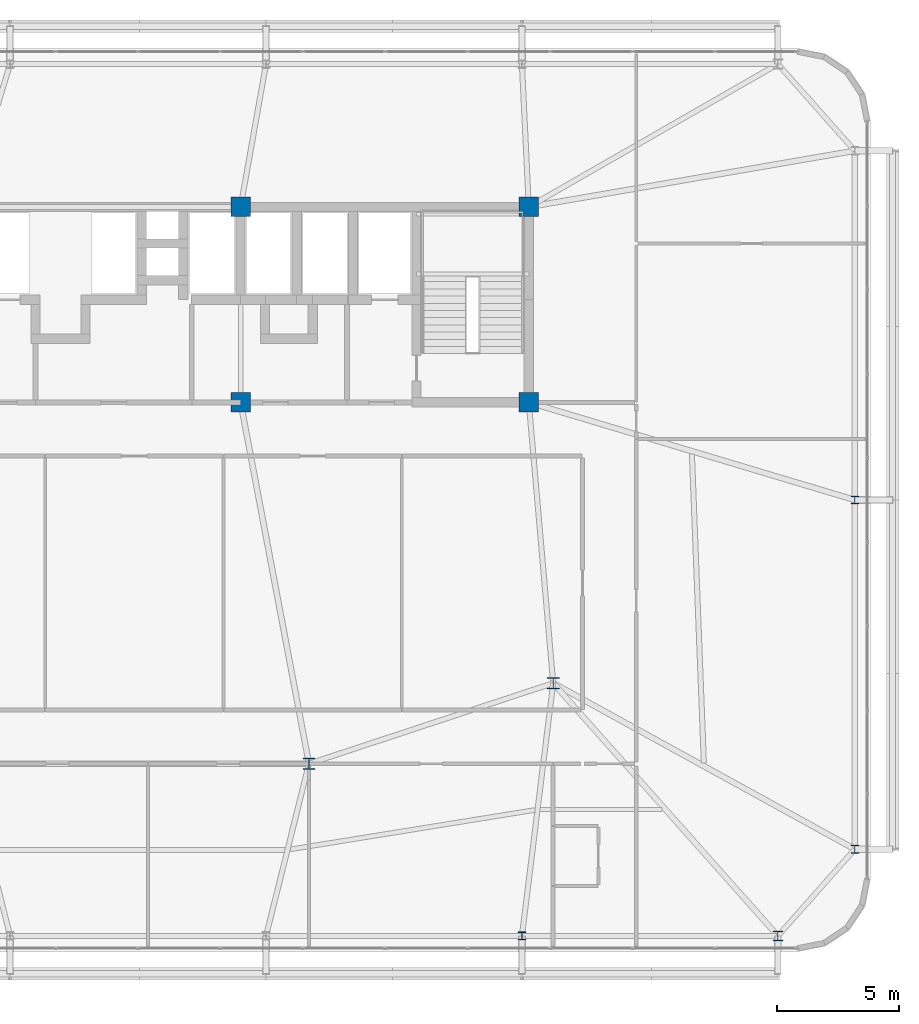
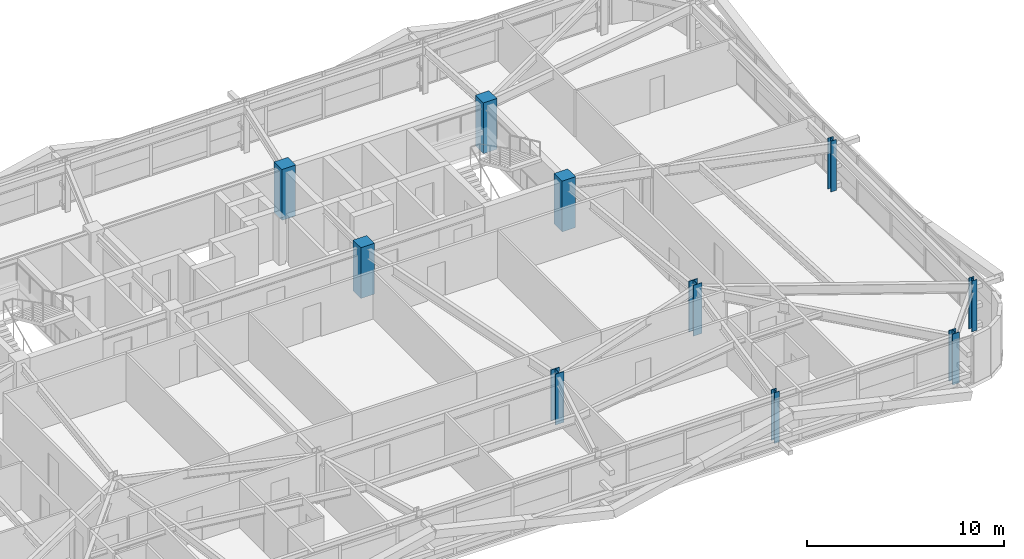
# One storey, part 2 of 58: 10 columns.
"""IFC4 building model written with IfcOpenShell, lengths in metres."""

from ifc_helpers import new_model, si_unit, direction, frame, origin, origin_2d, place, context, subcontext, project, spatial, rectangle, i_section, extrude, source, transform, mapped, material, material_profile, profile_set, type_object, element, save


model = new_model("IFC4")

# Units and contexts
model_context = context("Model", 3, precision=1e-05, world=origin(), true_north=direction((0.0, 1.0)))
body_context = subcontext(model_context, "Body", "Model", "MODEL_VIEW")
ifc_project = project(units=[si_unit("LENGTHUNIT", "METRE"), si_unit("AREAUNIT", "SQUARE_METRE"), si_unit("VOLUMEUNIT", "CUBIC_METRE"), si_unit("PLANEANGLEUNIT", "RADIAN"), si_unit("MASSUNIT", "GRAM", prefix="KILO")], contexts=[model_context])

# Site, building, storey
site_placement = place(None, origin())
site = spatial("IfcSite", under=ifc_project, at=site_placement, CompositionType="ELEMENT")
building_placement = place(site_placement, origin())
building = spatial("IfcBuilding", under=site, at=building_placement, Name="Taldren Reach Tower", CompositionType="ELEMENT")
storey_placement = place(building_placement, frame((0.0, 0.0, 32.550048828125)))
storey = spatial("IfcBuildingStorey", under=building, at=storey_placement, Name="L09", CompositionType="ELEMENT", Elevation=32.550048828125)

# Columns
ifc_material_1 = material(Name="Steel Gr 350 (350PLUS)", Category="steel")
ifc_material_profile_1 = material_profile(ifc_material_1, i_section(OverallWidth=0.5, OverallDepth=0.47998046875, WebThickness=0.028076171875, FlangeThickness=0.0439453125, at=origin_2d()), Name="500WC440")
ifc_profile_set_1 = profile_set([ifc_material_profile_1], Name="Steel Gr 350 (350PLUS)")
column_type_1 = type_object("IfcColumnType", Name="COL-WC500A", PredefinedType="COLUMN", material=ifc_profile_set_1)
shared_shape_1 = source(origin(), body_context, "Body", "SweptSolid", [
    extrude(i_section(OverallWidth=0.5, OverallDepth=0.47998046875, WebThickness=0.028076171875, FlangeThickness=0.0439453125, at=origin_2d()), origin(), (0.0, 0.0, 1.0), 3.14990234375),
])
column_1_placement = place(storey_placement, frame((42.0, 9.199951171875, 0.0), z_axis=(0.0, 0.0, 1.0), x_axis=(1.0, 0.0, 0.0)))
element("IfcColumn", 1, at=column_1_placement, inside=storey, type_object=column_type_1, Name="Mega column MC-PJE L09", PredefinedType="COLUMN", context=body_context, shape_type="MappedRepresentation", body=[
    mapped(shared_shape_1, transform((0.0, 0.0, 0.0), scale=1.0)),
])
ifc_material_profile_2 = material_profile(ifc_material_1, i_section(OverallWidth=0.39990234375, OverallDepth=0.39599609375, WebThickness=0.02197265625, FlangeThickness=0.033935546875, at=origin_2d()), Name="400WC270")
ifc_profile_set_2 = profile_set([ifc_material_profile_2], Name="Steel Gr 350 (350PLUS)")
column_type_2 = type_object("IfcColumnType", Name="COL-WC400", PredefinedType="COLUMN", material=ifc_profile_set_2)
shared_shape_2 = source(origin(), body_context, "Body", "SweptSolid", [
    extrude(i_section(OverallWidth=0.39990234375, OverallDepth=0.39599609375, WebThickness=0.02197265625, FlangeThickness=0.033935546875, at=origin_2d()), origin(), (0.0, 0.0, 1.0), 3.14990234375),
])
column_2_placement = place(storey_placement, frame((61.199951171875, 2.14990234375, 0.0), z_axis=(0.0, 0.0, 1.0), x_axis=(1.0, 0.0, 0.0)))
element("IfcColumn", 2, at=column_2_placement, inside=storey, type_object=column_type_2, Name="Block B1 perimeter column S6 L09", PredefinedType="COLUMN", context=body_context, shape_type="MappedRepresentation", body=[
    mapped(shared_shape_2, transform((0.0, 0.0, 0.0), scale=1.0)),
])
ifc_material_profile_3 = material_profile(ifc_material_1, i_section(OverallWidth=0.31103515625, OverallDepth=0.326904296875, WebThickness=0.015625, FlangeThickness=0.02490234375, at=origin_2d()), Name="310UC158")
ifc_profile_set_3 = profile_set([ifc_material_profile_3], Name="Steel Gr 350 (350PLUS)")
column_type_3 = type_object("IfcColumnType", Name="COL-UC310A", PredefinedType="COLUMN", material=ifc_profile_set_3)
shared_shape_3 = source(origin(), body_context, "Body", "SweptSolid", [
    extrude(i_section(OverallWidth=0.31103515625, OverallDepth=0.326904296875, WebThickness=0.015625, FlangeThickness=0.02490234375, at=origin_2d()), origin(), (0.0, 0.0, 1.0), 3.14990234375),
])
for number, where, z_axis, x_axis, name in (
    (3, (50.719970703125, 2.14990234375, 0.0), (0.0, 0.0, 1.0), (1.0, 0.0, 0.0), "Block B1 perimeter column S5 L09"),
    (4, (64.35009765625, 5.699951171875, 0.0), (0.0, 0.0, 1.0), (1.0, 0.0, 0.0), "Block B1 perimeter column E1 L09"),
    (5, (64.35009765625, 20.0, 0.0), (0.0, 0.0, 1.0), (1.0, 0.0, 0.0), "Block B1 perimeter column E2 L09"),
):
    element("IfcColumn", number, at=place(storey_placement, frame(where, z_axis=z_axis, x_axis=x_axis)), inside=storey, type_object=column_type_3, Name=name, PredefinedType="COLUMN", context=body_context, shape_type="MappedRepresentation", body=[
        mapped(shared_shape_3, transform((0.0, 0.0, 0.0), scale=1.0)),
    ])
ifc_material_2 = material(Name="Concrete S65 (65 MPa)", Category="concrete")
ifc_material_profile_4 = material_profile(ifc_material_2, rectangle(XDim=0.800048828125, YDim=0.800048828125, at=origin_2d()), Name="RC-800x800")
ifc_profile_set_4 = profile_set([ifc_material_profile_4], Name="Concrete S65 (65 MPa)")
column_type_4 = type_object("IfcColumnType", Name="COL-RC800", PredefinedType="COLUMN", material=ifc_profile_set_4)
shared_shape_4 = source(origin(), body_context, "Body", "SweptSolid", [
    extrude(rectangle(XDim=0.800048828125, YDim=0.800048828125, at=origin_2d()), origin(), (0.0, 0.0, 1.0), 3.14990234375),
])
for number, where, z_axis, x_axis, name in (
    (6, (39.199951171875, 24.0, 0.0), (0.0, 0.0, 1.0), (1.0, 0.0, 0.0), "Mega column MC-C3 L09"),
    (7, (51.0, 24.0, 0.0), (0.0, 0.0, 1.0), (1.0, 0.0, 0.0), "Mega column MC-C4 L09"),
    (8, (39.199951171875, 32.0, 0.0), (0.0, 0.0, 1.0), (1.0, 0.0, 0.0), "Mega column MC-C7 L09"),
    (9, (51.0, 32.0, 0.0), (0.0, 0.0, 1.0), (1.0, 0.0, 0.0), "Mega column MC-C8 L09"),
):
    element("IfcColumn", number, at=place(storey_placement, frame(where, z_axis=z_axis, x_axis=x_axis)), inside=storey, type_object=column_type_4, Name=name, PredefinedType="COLUMN", context=body_context, shape_type="MappedRepresentation", body=[
        mapped(shared_shape_4, transform((0.0, 0.0, 0.0), scale=1.0)),
    ])
ifc_material_profile_5 = material_profile(ifc_material_1, i_section(OverallWidth=0.5, OverallDepth=0.464111328125, WebThickness=0.02197265625, FlangeThickness=0.033935546875, at=origin_2d()), Name="500WC340")
ifc_profile_set_5 = profile_set([ifc_material_profile_5], Name="Steel Gr 350 (350PLUS)")
column_type_5 = type_object("IfcColumnType", Name="COL-WC500B", PredefinedType="COLUMN", material=ifc_profile_set_5)
shared_shape_5 = source(origin(), body_context, "Body", "SweptSolid", [
    extrude(i_section(OverallWidth=0.5, OverallDepth=0.464111328125, WebThickness=0.02197265625, FlangeThickness=0.033935546875, at=origin_2d()), origin(), (0.0, 0.0, 1.0), 3.14990234375),
])
column_3_placement = place(storey_placement, frame((52.0, 12.5, 0.0), z_axis=(0.0, 0.0, 1.0), x_axis=(1.0, 0.0, 0.0)))
element("IfcColumn", 10, at=column_3_placement, inside=storey, type_object=column_type_5, Name="Mega column MC-SE L09", PredefinedType="COLUMN", context=body_context, shape_type="MappedRepresentation", body=[
    mapped(shared_shape_5, transform((0.0, 0.0, 0.0), scale=1.0)),
])

save(model, "model.ifc")
